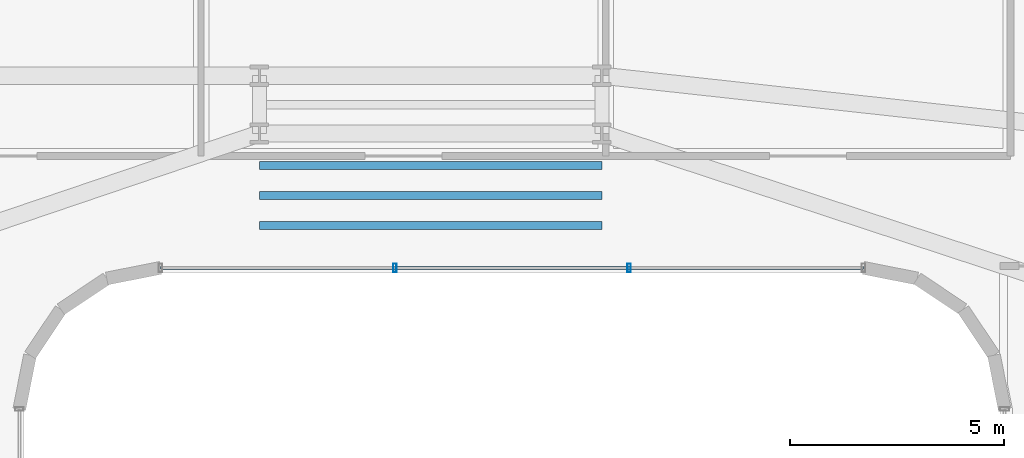
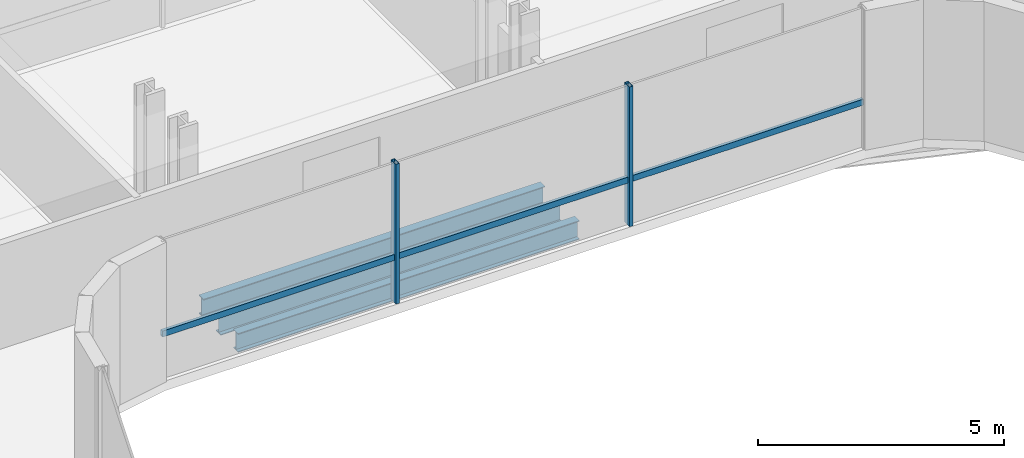
# One storey, part 14 of 39: 3 beams, 3 members, 1 element without a shape of its own.
"""IFC4 building model written with IfcOpenShell, lengths in metres."""

from ifc_helpers import new_model, si_unit, direction, frame, origin, origin_2d, place, context, subcontext, project, spatial, hollow_rectangle, i_section, extrude, source, transform, mapped, material, material_profile, profile_set, type_object, element, aggregate, save


model = new_model("IFC4")

# Units and contexts
model_context = context("Model", 3, precision=1e-05, world=origin(), true_north=direction((0.0, 1.0)))
body_context = subcontext(model_context, "Body", "Model", "MODEL_VIEW")
ifc_project = project(units=[si_unit("LENGTHUNIT", "METRE"), si_unit("AREAUNIT", "SQUARE_METRE"), si_unit("VOLUMEUNIT", "CUBIC_METRE"), si_unit("PLANEANGLEUNIT", "RADIAN"), si_unit("MASSUNIT", "GRAM", prefix="KILO")], contexts=[model_context])

# Site, building, storey
site_placement = place(None, origin())
site = spatial("IfcSite", under=ifc_project, at=site_placement, CompositionType="ELEMENT")
building_placement = place(site_placement, origin())
building = spatial("IfcBuilding", under=site, at=building_placement, Name="Valdorenza Pilgrim Sanctuary Tower", CompositionType="ELEMENT")
storey_placement = place(building_placement, frame((0.0, 0.0, 77.800048828125)))
storey = spatial("IfcBuildingStorey", under=building, at=storey_placement, Name="L19", CompositionType="ELEMENT", Elevation=77.800048828125)

# Beams
ifc_material_1 = material(Name="Steel ASTM A992 Grade 50", Category="steel")
ifc_material_profile_1 = material_profile(ifc_material_1, i_section(OverallWidth=0.193115234375, OverallDepth=0.466064453125, WebThickness=0.011474609375, FlangeThickness=0.01904296875, at=origin_2d()), Name="W18X65")
ifc_profile_set_1 = profile_set([ifc_material_profile_1], Name="Steel ASTM A992 Grade 50")
beam_type = type_object("IfcBeamType", Name="STR-BM-JST-W18A", PredefinedType="JOIST", material=ifc_profile_set_1)
shared_shape_1 = source(origin(), body_context, "Body", "SweptSolid", [
    extrude(i_section(OverallWidth=0.193115234375, OverallDepth=0.466064453125, WebThickness=0.011474609375, FlangeThickness=0.01904296875, at=origin_2d()), origin(), (0.0, 0.0, 1.0), 8.0),
])
for number, where, z_axis, x_axis, name in (
    (1, (-4.0, 11.300048828125, -0.47314453125), (1.0, 0.0, 0.0), (0.0, 1.0, 0.0), "L19 Knuckle Composite Joist JST-KNK-1"),
    (2, (-4.0, 12.0, -0.47314453125), (1.0, 0.0, 0.0), (0.0, 1.0, 0.0), "L19 Knuckle Composite Joist JST-KNK-2"),
    (3, (-4.0, 12.699951171875, -0.47314453125), (1.0, 0.0, 0.0), (0.0, 1.0, 0.0), "L19 Knuckle Composite Joist JST-KNK-3"),
):
    element("IfcBeam", number, at=place(storey_placement, frame(where, z_axis=z_axis, x_axis=x_axis)), inside=storey, type_object=beam_type, Name=name, PredefinedType="JOIST", context=body_context, shape_type="MappedRepresentation", body=[
        mapped(shared_shape_1, transform((0.0, 0.0, 0.0), x_axis=(1.0, 0.0, 0.0), y_axis=(0.0, 1.0, 0.0), z_axis=(0.0, 0.0, 1.0), scale=1.0)),
    ])

# Curtain wall, members
ifc_material_2 = material(Name="Curtain-wall IGU glazing", Category="glass")
curtain_wall_type = type_object("IfcCurtainWallType", Name="CW-SYS-02", PredefinedType="NOTDEFINED", material=ifc_material_2)
curtain_wall_placement = place(storey_placement, origin())
curtain_wall = element("IfcCurtainWall", 4, at=curtain_wall_placement, inside=storey, type_object=curtain_wall_type, Name="L19 Curtain Wall CW-L19-1-36", PredefinedType="NOTDEFINED")
ifc_material_3 = material(Name="Anodised aluminium AW-6060", Category="aluminium")
ifc_material_profile_2 = material_profile(ifc_material_3, hollow_rectangle(XDim=0.0849609375, YDim=0.199951171875, WallThickness=0.0048828125, at=origin_2d()), Name="ALU-M 200x85x5")
ifc_profile_set_2 = profile_set([ifc_material_profile_2], Name="Anodised aluminium AW-6060")
member_type_1 = type_object("IfcMemberType", Name="CW-MUL-02", PredefinedType="MULLION", material=ifc_profile_set_2)
shared_shape_2 = source(origin(), body_context, "Body", "SweptSolid", [
    extrude(hollow_rectangle(XDim=0.0849609375, YDim=0.199951171875, WallThickness=0.0048828125, at=origin_2d()), origin(), (0.0, 0.0, 1.0), 3.4599609375),
])
member_1_placement = place(storey_placement, frame((4.636962890625, 10.31005859375, 0.0), z_axis=(0.0, 0.0, 1.0), x_axis=(-1.0, 0.0, 0.0)))
member_1 = element("IfcMember", 5, at=member_1_placement, type_object=member_type_1, Name="CW-L19-1-36 Mullion 2", PredefinedType="MULLION", context=body_context, shape_type="MappedRepresentation", body=[
    mapped(shared_shape_2, transform((0.0, 0.0, 0.0), x_axis=(1.0, 0.0, 0.0), y_axis=(0.0, 1.0, 0.0), z_axis=(0.0, 0.0, 1.0), scale=1.0)),
])
member_2_placement = place(storey_placement, frame((-0.8369140625, 10.31005859375, 0.0), z_axis=(0.0, 0.0, 1.0), x_axis=(-1.0, 0.0, 0.0)))
member_2 = element("IfcMember", 6, at=member_2_placement, type_object=member_type_1, Name="CW-L19-1-36 Mullion 3", PredefinedType="MULLION", context=body_context, shape_type="MappedRepresentation", body=[
    mapped(shared_shape_2, transform((0.0, 0.0, 0.0), x_axis=(1.0, 0.0, 0.0), y_axis=(0.0, 1.0, 0.0), z_axis=(0.0, 0.0, 1.0), scale=1.0)),
])
ifc_material_profile_3 = material_profile(ifc_material_3, hollow_rectangle(XDim=0.074951171875, YDim=0.14990234375, WallThickness=0.00390625, at=origin_2d()), Name="ALU-T 150x75x4")
ifc_profile_set_3 = profile_set([ifc_material_profile_3], Name="Anodised aluminium AW-6060")
member_type_2 = type_object("IfcMemberType", Name="CW-TRN-02", PredefinedType="USERDEFINED", material=ifc_profile_set_3)
shared_shape_3 = source(origin(), body_context, "Body", "SweptSolid", [
    extrude(hollow_rectangle(XDim=0.074951171875, YDim=0.14990234375, WallThickness=0.00390625, at=origin_2d()), origin(), (0.0, 0.0, 1.0), 16.421630859375),
])
member_3_placement = place(storey_placement, frame((10.11083984375, 10.31005859375, 1.119873046875), z_axis=(-1.0, 0.0, 0.0), x_axis=(0.0, -1.0, 0.0)))
member_3 = element("IfcMember", 7, at=member_3_placement, type_object=member_type_2, Name="CW-L19-1-36 Transom 1", ObjectType="TRANSOM", PredefinedType="USERDEFINED", context=body_context, shape_type="MappedRepresentation", body=[
    mapped(shared_shape_3, transform((0.0, 0.0, 0.0), x_axis=(1.0, 0.0, 0.0), y_axis=(0.0, 1.0, 0.0), z_axis=(0.0, 0.0, 1.0), scale=1.0)),
])
aggregate(curtain_wall, [member_1, member_2, member_3])

save(model, "model.ifc")
